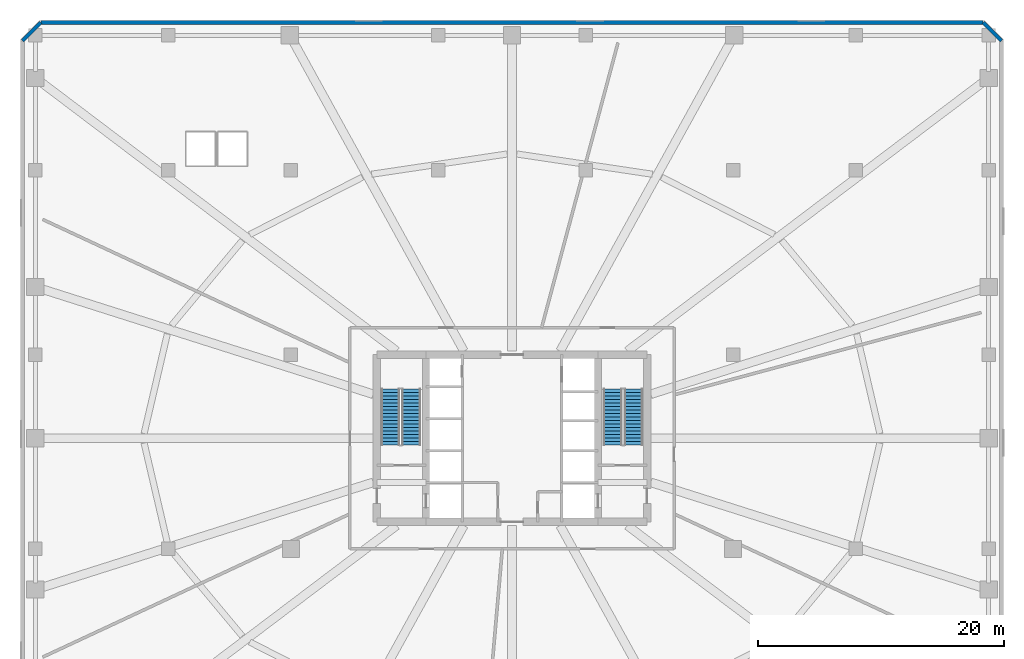
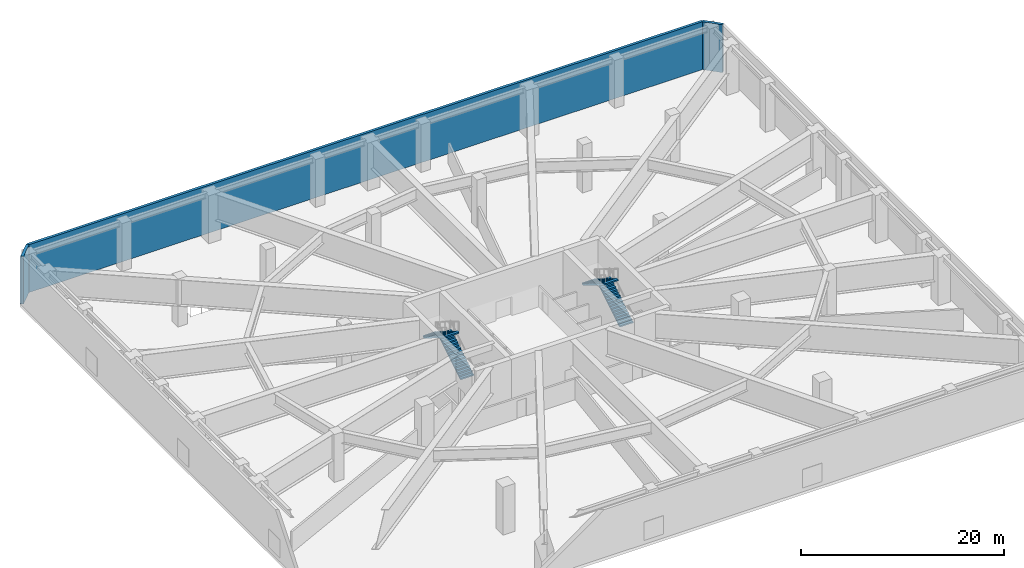
# One storey, part 7 of 9: 4 stair flights, 3 walls, 2 elements without a shape of their own.
"""IFC4 building model written with IfcOpenShell, lengths in metres."""

from ifc_helpers import new_model, si_unit, direction, frame, frame_2d, origin, place, context, subcontext, project, spatial, polyline, rectangle, outline, extrude, material, layer, layer_set, type_object, element, aggregate, save


model = new_model("IFC4")

# Units and contexts
model_context = context("Model", 3, precision=1e-05, world=origin(), true_north=direction((0.0, 1.0)))
body_context = subcontext(model_context, "Body", "Model", "MODEL_VIEW")
ifc_project = project(units=[si_unit("LENGTHUNIT", "METRE"), si_unit("AREAUNIT", "SQUARE_METRE"), si_unit("VOLUMEUNIT", "CUBIC_METRE"), si_unit("PLANEANGLEUNIT", "RADIAN"), si_unit("MASSUNIT", "GRAM", prefix="KILO")], contexts=[model_context])

# Site, building, storey
site_placement = place(None, origin())
site = spatial("IfcSite", under=ifc_project, at=site_placement, CompositionType="ELEMENT")
building_placement = place(site_placement, origin())
building = spatial("IfcBuilding", under=site, at=building_placement, Name="Sarneth Arch Tower", CompositionType="ELEMENT")
storey_placement = place(building_placement, frame((0.0, 0.0, 22.199951171875)))
storey = spatial("IfcBuildingStorey", under=building, at=storey_placement, Name="L04", CompositionType="ELEMENT", Elevation=22.199951171875)

# Walls
ifc_material_1 = material(Name="Extruded terracotta rainscreen on Concrete C40/50 backing", Category="masonry")
ifc_layer = layer(ifc_material_1, 0.300048828125)
ifc_layer_set = layer_set([ifc_layer], Name="Extruded terracotta rainscreen on Concrete C40/50 backing")
wall_type = type_object("IfcWallType", Name="WALL-EXT-ACOUST-300", PredefinedType="SOLIDWALL", material=ifc_layer_set)
wall_1_placement = place(storey_placement, frame((87.85009765625, 74.35009765625, 0.0), z_axis=(0.0, 0.0, 1.0), x_axis=(-0.707106781187, 0.707106781187, 0.0)))
element("IfcWall", 1, at=wall_1_placement, inside=storey, type_object=wall_type, Name="L04 Podium corner wall 4", PredefinedType="SOLIDWALL", context=body_context, shape_type="SweptSolid", body=[
    extrude(rectangle(XDim=2.121337890625, YDim=0.300048828125, at=frame_2d((1.060546875, 0.0))), origin(), (0.0, 0.0, 1.0), 5.75),
])
wall_2_placement = place(storey_placement, frame((86.35009765625, 75.85009765625, 0.0), z_axis=(0.0, 0.0, 1.0), x_axis=(-1.0, 0.0, 0.0)))
element("IfcWall", 2, at=wall_2_placement, inside=storey, type_object=wall_type, Name="L04 Podium exterior wall 5", PredefinedType="SOLIDWALL", context=body_context, shape_type="SweptSolid", body=[
    extrude(rectangle(XDim=76.7001953125, YDim=0.300048828125, at=frame_2d((38.35009765625, 0.0))), origin(), (0.0, 0.0, 1.0), 5.75),
])
wall_3_placement = place(storey_placement, frame((9.64990234375, 75.85009765625, 0.0), z_axis=(0.0, 0.0, 1.0), x_axis=(-0.707106781187, -0.707106781187, 0.0)))
element("IfcWall", 3, at=wall_3_placement, inside=storey, type_object=wall_type, Name="L04 Podium corner wall 6", PredefinedType="SOLIDWALL", context=body_context, shape_type="SweptSolid", body=[
    extrude(rectangle(XDim=2.121337890625, YDim=0.300048828125, at=frame_2d((1.060546875, 0.0))), origin(), (0.0, 0.0, 1.0), 5.75),
])

# Stair, stair flights
ifc_material_2 = material(Name="Concrete C50/60", Category="concrete")
stair_type = type_object("IfcStairType", Name="STAIR-CORE-RC", PredefinedType="HALF_TURN_STAIR", material=ifc_material_2)
stair_1_placement = place(storey_placement, origin())
stair_1 = element("IfcStair", 4, at=stair_1_placement, inside=storey, type_object=stair_type, Name="L04 Core Exit Stair 1", PredefinedType="HALF_TURN_STAIR")
ifc_material_3 = material(Name="Concrete C50/60", Category="concrete")
stair_flight_type = type_object("IfcStairFlightType", Name="FLIGHT-RC-1500", PredefinedType="STRAIGHT", material=ifc_material_3)
stair_flight_1_placement = place(storey_placement, frame((39.800048828125, 41.449951171875, 0.0), z_axis=(0.0, 0.0, 1.0), x_axis=(0.0, 1.0, 0.0)))
stair_flight_1 = element("IfcStairFlight", 5, at=stair_flight_1_placement, type_object=stair_flight_type, Name="ST-1 flight 1", NumberOfRisers=17, NumberOfTreads=16, PredefinedType="STRAIGHT", RiserHeight=0.176470588, TreadLength=0.285, context=body_context, shape_type="SweptSolid", body=[
    extrude(outline(polyline([(0.0, 0.0), (0.0, 0.176513671875), (0.284912109375, 0.176513671875), (0.284912109375, 0.35302734375), (0.570068359375, 0.35302734375), (0.570068359375, 0.529296875), (0.85498046875, 0.529296875), (0.85498046875, 0.705810546875), (1.139892578125, 0.705810546875), (1.139892578125, 0.88232421875), (1.425048828125, 0.88232421875), (1.425048828125, 1.058837890625), (1.7099609375, 1.058837890625), (1.7099609375, 1.2353515625), (1.9951171875, 1.2353515625), (1.9951171875, 1.411865234375), (2.280029296875, 1.411865234375), (2.280029296875, 1.588134765625), (2.56494140625, 1.588134765625), (2.56494140625, 1.7646484375), (2.85009765625, 1.7646484375), (2.85009765625, 1.941162109375), (3.135009765625, 1.941162109375), (3.135009765625, 2.11767578125), (3.419921875, 2.11767578125), (3.419921875, 2.294189453125), (3.705078125, 2.294189453125), (3.705078125, 2.470703125), (3.989990234375, 2.470703125), (3.989990234375, 2.64697265625), (4.27490234375, 2.64697265625), (4.27490234375, 2.823486328125), (4.56005859375, 2.823486328125), (4.56005859375, 3.0), (4.56005859375, 2.647216796875), (0.28466796875, 0.0), (0.0, 0.0)])), frame((0.0, 0.75, 0.0), z_axis=(0.0, -1.0, 0.0), x_axis=(1.0, 0.0, 0.0)), (0.0, 0.0, 1.0), 1.5),
])
stair_flight_2_placement = place(storey_placement, frame((38.10009765625, 46.010009765625, 3.0), z_axis=(0.0, 0.0, 1.0), x_axis=(0.0, -1.0, 0.0)))
stair_flight_2 = element("IfcStairFlight", 6, at=stair_flight_2_placement, type_object=stair_flight_type, Name="ST-1 flight 2", NumberOfRisers=17, NumberOfTreads=16, PredefinedType="STRAIGHT", RiserHeight=0.176470588, TreadLength=0.285, context=body_context, shape_type="SweptSolid", body=[
    extrude(outline(polyline([(0.0, 0.0), (0.0, 0.176513671875), (0.284912109375, 0.176513671875), (0.284912109375, 0.35302734375), (0.570068359375, 0.35302734375), (0.570068359375, 0.529296875), (0.85498046875, 0.529296875), (0.85498046875, 0.705810546875), (1.139892578125, 0.705810546875), (1.139892578125, 0.88232421875), (1.425048828125, 0.88232421875), (1.425048828125, 1.058837890625), (1.7099609375, 1.058837890625), (1.7099609375, 1.2353515625), (1.9951171875, 1.2353515625), (1.9951171875, 1.411865234375), (2.280029296875, 1.411865234375), (2.280029296875, 1.588134765625), (2.56494140625, 1.588134765625), (2.56494140625, 1.7646484375), (2.85009765625, 1.7646484375), (2.85009765625, 1.941162109375), (3.135009765625, 1.941162109375), (3.135009765625, 2.11767578125), (3.419921875, 2.11767578125), (3.419921875, 2.294189453125), (3.705078125, 2.294189453125), (3.705078125, 2.470703125), (3.989990234375, 2.470703125), (3.989990234375, 2.64697265625), (4.27490234375, 2.64697265625), (4.27490234375, 2.823486328125), (4.56005859375, 2.823486328125), (4.56005859375, 3.0), (4.56005859375, 2.647216796875), (0.28466796875, 0.0), (0.0, 0.0)])), frame((0.0, 0.75, 0.0), z_axis=(0.0, -1.0, 0.0), x_axis=(1.0, 0.0, 0.0)), (0.0, 0.0, 1.0), 1.5),
])
aggregate(stair_1, [stair_flight_1, stair_flight_2])

stair_2_placement = place(storey_placement, origin())
stair_2 = element("IfcStair", 7, at=stair_2_placement, inside=storey, type_object=stair_type, Name="L04 Core Exit Stair 2", PredefinedType="HALF_TURN_STAIR")
stair_flight_3_placement = place(storey_placement, frame((57.89990234375, 41.449951171875, 0.0), z_axis=(0.0, 0.0, 1.0), x_axis=(0.0, 1.0, 0.0)))
stair_flight_3 = element("IfcStairFlight", 8, at=stair_flight_3_placement, type_object=stair_flight_type, Name="ST-2 flight 1", NumberOfRisers=17, NumberOfTreads=16, PredefinedType="STRAIGHT", RiserHeight=0.176470588, TreadLength=0.285, context=body_context, shape_type="SweptSolid", body=[
    extrude(outline(polyline([(0.0, 0.0), (0.0, 0.176513671875), (0.284912109375, 0.176513671875), (0.284912109375, 0.35302734375), (0.570068359375, 0.35302734375), (0.570068359375, 0.529296875), (0.85498046875, 0.529296875), (0.85498046875, 0.705810546875), (1.139892578125, 0.705810546875), (1.139892578125, 0.88232421875), (1.425048828125, 0.88232421875), (1.425048828125, 1.058837890625), (1.7099609375, 1.058837890625), (1.7099609375, 1.2353515625), (1.9951171875, 1.2353515625), (1.9951171875, 1.411865234375), (2.280029296875, 1.411865234375), (2.280029296875, 1.588134765625), (2.56494140625, 1.588134765625), (2.56494140625, 1.7646484375), (2.85009765625, 1.7646484375), (2.85009765625, 1.941162109375), (3.135009765625, 1.941162109375), (3.135009765625, 2.11767578125), (3.419921875, 2.11767578125), (3.419921875, 2.294189453125), (3.705078125, 2.294189453125), (3.705078125, 2.470703125), (3.989990234375, 2.470703125), (3.989990234375, 2.64697265625), (4.27490234375, 2.64697265625), (4.27490234375, 2.823486328125), (4.56005859375, 2.823486328125), (4.56005859375, 3.0), (4.56005859375, 2.647216796875), (0.28466796875, 0.0), (0.0, 0.0)])), frame((0.0, 0.75, 0.0), z_axis=(0.0, -1.0, 0.0), x_axis=(1.0, 0.0, 0.0)), (0.0, 0.0, 1.0), 1.5),
])
stair_flight_4_placement = place(storey_placement, frame((56.199951171875, 46.010009765625, 3.0), z_axis=(0.0, 0.0, 1.0), x_axis=(0.0, -1.0, 0.0)))
stair_flight_4 = element("IfcStairFlight", 9, at=stair_flight_4_placement, type_object=stair_flight_type, Name="ST-2 flight 2", NumberOfRisers=17, NumberOfTreads=16, PredefinedType="STRAIGHT", RiserHeight=0.176470588, TreadLength=0.285, context=body_context, shape_type="SweptSolid", body=[
    extrude(outline(polyline([(0.0, 0.0), (0.0, 0.176513671875), (0.284912109375, 0.176513671875), (0.284912109375, 0.35302734375), (0.570068359375, 0.35302734375), (0.570068359375, 0.529296875), (0.85498046875, 0.529296875), (0.85498046875, 0.705810546875), (1.139892578125, 0.705810546875), (1.139892578125, 0.88232421875), (1.425048828125, 0.88232421875), (1.425048828125, 1.058837890625), (1.7099609375, 1.058837890625), (1.7099609375, 1.2353515625), (1.9951171875, 1.2353515625), (1.9951171875, 1.411865234375), (2.280029296875, 1.411865234375), (2.280029296875, 1.588134765625), (2.56494140625, 1.588134765625), (2.56494140625, 1.7646484375), (2.85009765625, 1.7646484375), (2.85009765625, 1.941162109375), (3.135009765625, 1.941162109375), (3.135009765625, 2.11767578125), (3.419921875, 2.11767578125), (3.419921875, 2.294189453125), (3.705078125, 2.294189453125), (3.705078125, 2.470703125), (3.989990234375, 2.470703125), (3.989990234375, 2.64697265625), (4.27490234375, 2.64697265625), (4.27490234375, 2.823486328125), (4.56005859375, 2.823486328125), (4.56005859375, 3.0), (4.56005859375, 2.647216796875), (0.28466796875, 0.0), (0.0, 0.0)])), frame((0.0, 0.75, 0.0), z_axis=(0.0, -1.0, 0.0), x_axis=(1.0, 0.0, 0.0)), (0.0, 0.0, 1.0), 1.5),
])
aggregate(stair_2, [stair_flight_3, stair_flight_4])

save(model, "model.ifc")
